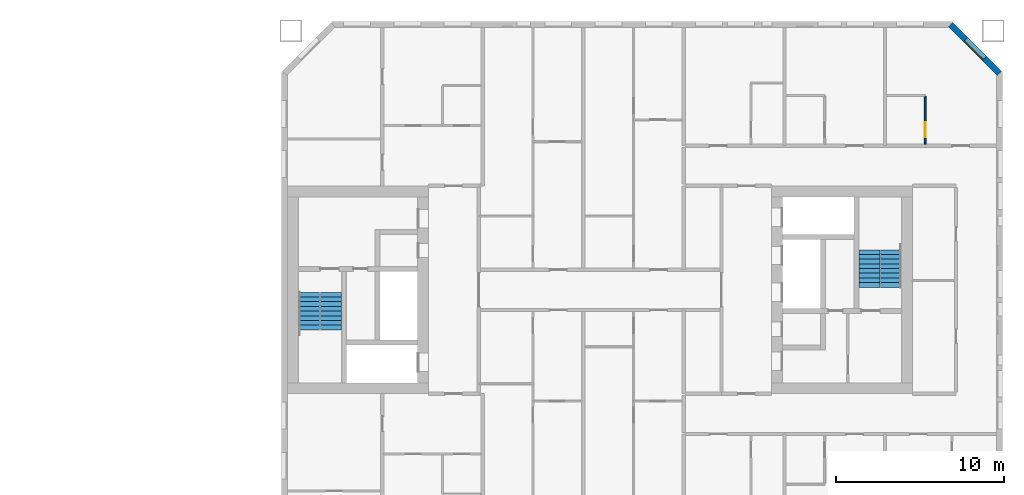
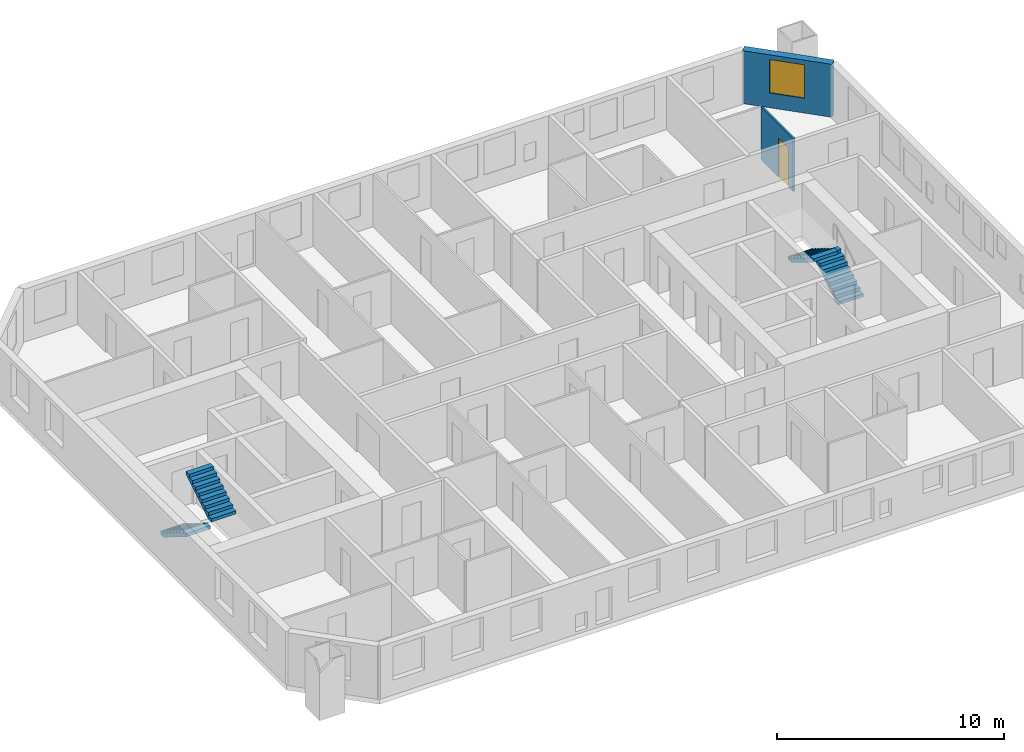
# One storey, part 15 of 17: 4 stair flights, 2 walls, 1 door, 1 window, 2 openings, 2 elements without a shape of their own.
"""IFC4 building model written with IfcOpenShell, lengths in metres."""

from ifc_helpers import new_model, si_unit, direction, frame, frame_2d, origin, place, context, subcontext, project, spatial, polyline, rectangle, outline, extrude, material, layer, layer_set, type_object, element, fill, aggregate, save


model = new_model("IFC4")

# Units and contexts
model_context = context("Model", 3, precision=1e-05, world=origin(), true_north=direction((0.0, 1.0)))
body_context = subcontext(model_context, "Body", "Model", "MODEL_VIEW")
ifc_project = project(units=[si_unit("LENGTHUNIT", "METRE"), si_unit("AREAUNIT", "SQUARE_METRE"), si_unit("VOLUMEUNIT", "CUBIC_METRE"), si_unit("PLANEANGLEUNIT", "RADIAN"), si_unit("MASSUNIT", "GRAM", prefix="KILO")], contexts=[model_context])

# Site, building, storey
site_placement = place(None, origin())
site = spatial("IfcSite", under=ifc_project, at=site_placement, CompositionType="ELEMENT")
building_placement = place(site_placement, origin())
building = spatial("IfcBuilding", under=site, at=building_placement, Name="Tuart Gate Housing", CompositionType="ELEMENT")
storey_placement = place(building_placement, frame((0.0, 0.0, 105.699951171875)))
storey = spatial("IfcBuildingStorey", under=building, at=storey_placement, Name="L29", CompositionType="ELEMENT", Elevation=105.699951171875)

# Wall, opening, window
ifc_material_1 = material(Name="Brick", Category="masonry")
ifc_layer_1 = layer(ifc_material_1, 0.360107421875)
ifc_layer_set_1 = layer_set([ifc_layer_1], Name="Brick pier and spandrel wall 360")
wall_type_1 = type_object("IfcWallType", Name="Brick pier and spandrel wall 360", PredefinedType="STANDARD", material=ifc_layer_set_1)
wall_1_placement = place(storey_placement, frame((173.820068359375, 82.92529296875, 0.0), z_axis=(0.0, 0.0, 1.0), x_axis=(-0.707106781187, 0.707106781187, 0.0)))
wall_1 = element("IfcWall", 1, at=wall_1_placement, inside=storey, type_object=wall_type_1, Name="External wall B-NE L29", PredefinedType="STANDARD", context=body_context, shape_type="SweptSolid", body=[
    extrude(rectangle(XDim=4.09375, YDim=0.360107421875, at=frame_2d((2.046875, 0.0))), origin(), (0.0, 0.0, 1.0), 2.85009765625),
])
opening_1_placement = place(wall_1_placement, frame((1.2470703125, 0.0, 0.800048828125)))
opening_1 = element("IfcOpeningElement", 2, at=opening_1_placement, cuts=wall_1, Name="Opening W1", PredefinedType="OPENING", context=body_context, shape_type="SweptSolid", body=[
    extrude(rectangle(XDim=1.60009765625, YDim=1.800048828125, at=frame_2d((0.800048828125, 0.89990234375))), frame((0.0, 0.18994140625, 0.0), z_axis=(0.0, -1.0, 0.0), x_axis=(1.0, 0.0, 0.0)), (0.0, 0.0, 1.0), 0.380126953125),
])
ifc_material_2 = material(Name="Aluminium frame with clear glass", Category="aluminium")
window_type = type_object("IfcWindowType", Name="Punched window 1600 x 1800", PartitioningType="SINGLE_PANEL", PredefinedType="WINDOW", material=ifc_material_2)
window_placement = place(opening_1_placement, origin())
window = element("IfcWindow", 3, at=window_placement, inside=storey, type_object=window_type, Name="Window W1", OverallHeight=1.800048828125, OverallWidth=1.60009765625, PartitioningType="SINGLE_PANEL", PredefinedType="WINDOW", context=body_context, shape_type="SweptSolid", body=[
    extrude(rectangle(XDim=1.60009765625, YDim=1.800048828125, at=frame_2d((0.800048828125, 0.89990234375))), frame((0.0, 0.150146484375, 0.0), z_axis=(0.0, -1.0, 0.0), x_axis=(1.0, 0.0, 0.0)), (0.0, 0.0, 1.0), 0.06005859375),
])
fill(opening_1, window)

# Wall, opening, door
ifc_material_3 = material(Name="Gypsum board on steel studs", Category="steel")
ifc_layer_2 = layer(ifc_material_3, 0.10009765625)
ifc_layer_set_2 = layer_set([ifc_layer_2], Name="Partition 100")
wall_type_2 = type_object("IfcWallType", Name="Partition 100", PredefinedType="PARTITIONING", material=ifc_layer_set_2)
wall_2_placement = place(storey_placement, frame((169.39990234375, 78.699951171875, 0.0), z_axis=(0.0, 0.0, 1.0), x_axis=(0.0, 1.0, 0.0)))
wall_2 = element("IfcWall", 4, at=wall_2_placement, inside=storey, type_object=wall_type_2, Name="Partition 100", PredefinedType="PARTITIONING", context=body_context, shape_type="SweptSolid", body=[
    extrude(rectangle(XDim=2.85009765625, YDim=0.10009765625, at=frame_2d((1.425048828125, 0.0))), origin(), (0.0, 0.0, 1.0), 2.85009765625),
])
opening_2_placement = place(wall_2_placement, frame((0.39990234375, 0.0, 0.0)))
opening_2 = element("IfcOpeningElement", 5, at=opening_2_placement, cuts=wall_2, Name="Opening D1242", PredefinedType="OPENING", context=body_context, shape_type="SweptSolid", body=[
    extrude(rectangle(XDim=0.89990234375, YDim=2.10009765625, at=frame_2d((0.449951171875, 1.050048828125))), frame((0.0, 0.06005859375, 0.0), z_axis=(0.0, -1.0, 0.0), x_axis=(1.0, 0.0, 0.0)), (0.0, 0.0, 1.0), 0.1201171875),
])
ifc_material_4 = material(Name="Timber door leaf in steel frame", Category="steel")
door_type = type_object("IfcDoorType", Name="Bathroom door 900", OperationType="SINGLE_SWING_LEFT", PredefinedType="DOOR", material=ifc_material_4)
door_placement = place(opening_2_placement, origin())
door = element("IfcDoor", 6, at=door_placement, inside=storey, type_object=door_type, Name="Bathroom door", OperationType="SINGLE_SWING_LEFT", OverallHeight=2.10009765625, OverallWidth=0.89990234375, PredefinedType="DOOR", context=body_context, shape_type="SweptSolid", body=[
    extrude(rectangle(XDim=0.89990234375, YDim=2.10009765625, at=frame_2d((0.449951171875, 1.050048828125))), frame((0.0, 0.02490234375, 0.0), z_axis=(0.0, -1.0, 0.0), x_axis=(1.0, 0.0, 0.0)), (0.0, 0.0, 1.0), 0.050048828125),
])
fill(opening_2, door)

# Stair, stair flights
ifc_material_5 = material(Name="Concrete C40", Category="concrete")
stair_type = type_object("IfcStairType", Name="Core stair 1250", PredefinedType="HALF_TURN_STAIR", material=ifc_material_5)
stair_1_placement = place(storey_placement, origin())
stair_1 = element("IfcStair", 7, at=stair_1_placement, inside=storey, type_object=stair_type, Name="Stair SB1", PredefinedType="HALF_TURN_STAIR")
ifc_material_6 = material(Name="Concrete C40", Category="concrete")
stair_flight_type = type_object("IfcStairFlightType", Name="Stair flight 1250, 9 risers 172 x 280", PredefinedType="STRAIGHT", material=ifc_material_6)
stair_flight_1_placement = place(storey_placement, frame((132.635009765625, 69.85009765625, 0.0), z_axis=(0.0, 0.0, 1.0), x_axis=(0.0, -1.0, 0.0)))
stair_flight_1 = element("IfcStairFlight", 8, at=stair_flight_1_placement, type_object=stair_flight_type, Name="SB1 flight 1", NumberOfRisers=9, NumberOfTreads=8, PredefinedType="STRAIGHT", RiserHeight=0.172222222, TreadLength=0.28, context=body_context, shape_type="SweptSolid", body=[
    extrude(outline(polyline([(0.0, 0.0), (0.0, 0.172119140625), (0.280029296875, 0.172119140625), (0.280029296875, 0.344482421875), (0.56005859375, 0.344482421875), (0.56005859375, 0.5166015625), (0.840087890625, 0.5166015625), (0.840087890625, 0.68896484375), (1.1201171875, 0.68896484375), (1.1201171875, 0.861083984375), (1.39990234375, 0.861083984375), (1.39990234375, 1.033447265625), (1.679931640625, 1.033447265625), (1.679931640625, 1.20556640625), (1.9599609375, 1.20556640625), (1.9599609375, 1.377685546875), (2.239990234375, 1.377685546875), (2.239990234375, 1.550048828125), (2.239990234375, 1.201904296875), (0.2861328125, 0.0), (0.0, 0.0)])), frame((0.0, 0.625, 0.0), z_axis=(0.0, -1.0, 0.0), x_axis=(1.0, 0.0, 0.0)), (0.0, 0.0, 1.0), 1.25),
])
stair_flight_2_placement = place(storey_placement, frame((133.93505859375, 67.610107421875, 1.550048828125), z_axis=(0.0, 0.0, 1.0), x_axis=(0.0, 1.0, 0.0)))
stair_flight_2 = element("IfcStairFlight", 9, at=stair_flight_2_placement, type_object=stair_flight_type, Name="SB1 flight 2", NumberOfRisers=9, NumberOfTreads=8, PredefinedType="STRAIGHT", RiserHeight=0.172222222, TreadLength=0.28, context=body_context, shape_type="SweptSolid", body=[
    extrude(outline(polyline([(0.0, 0.0), (0.0, 0.172119140625), (0.280029296875, 0.172119140625), (0.280029296875, 0.344482421875), (0.56005859375, 0.344482421875), (0.56005859375, 0.5166015625), (0.840087890625, 0.5166015625), (0.840087890625, 0.68896484375), (1.1201171875, 0.68896484375), (1.1201171875, 0.861083984375), (1.39990234375, 0.861083984375), (1.39990234375, 1.033447265625), (1.679931640625, 1.033447265625), (1.679931640625, 1.20556640625), (1.9599609375, 1.20556640625), (1.9599609375, 1.377685546875), (2.239990234375, 1.377685546875), (2.239990234375, 1.550048828125), (2.239990234375, 1.201904296875), (0.2861328125, 0.0), (0.0, 0.0)])), frame((0.0, 0.625, 0.0), z_axis=(0.0, -1.0, 0.0), x_axis=(1.0, 0.0, 0.0)), (0.0, 0.0, 1.0), 1.25),
])
aggregate(stair_1, [stair_flight_1, stair_flight_2])

stair_2_placement = place(storey_placement, origin())
stair_2 = element("IfcStair", 10, at=stair_2_placement, inside=storey, type_object=stair_type, Name="Stair SB2", PredefinedType="HALF_TURN_STAIR")
stair_flight_3_placement = place(storey_placement, frame((167.364990234375, 70.14990234375, 0.0), z_axis=(0.0, 0.0, 1.0), x_axis=(0.0, 1.0, 0.0)))
stair_flight_3 = element("IfcStairFlight", 11, at=stair_flight_3_placement, type_object=stair_flight_type, Name="SB2 flight 1", NumberOfRisers=9, NumberOfTreads=8, PredefinedType="STRAIGHT", RiserHeight=0.172222222, TreadLength=0.28, context=body_context, shape_type="SweptSolid", body=[
    extrude(outline(polyline([(0.0, 0.0), (0.0, 0.172119140625), (0.280029296875, 0.172119140625), (0.280029296875, 0.344482421875), (0.56005859375, 0.344482421875), (0.56005859375, 0.5166015625), (0.840087890625, 0.5166015625), (0.840087890625, 0.68896484375), (1.1201171875, 0.68896484375), (1.1201171875, 0.861083984375), (1.39990234375, 0.861083984375), (1.39990234375, 1.033447265625), (1.679931640625, 1.033447265625), (1.679931640625, 1.20556640625), (1.9599609375, 1.20556640625), (1.9599609375, 1.377685546875), (2.239990234375, 1.377685546875), (2.239990234375, 1.550048828125), (2.239990234375, 1.201904296875), (0.2861328125, 0.0), (0.0, 0.0)])), frame((0.0, 0.625, 0.0), z_axis=(0.0, -1.0, 0.0), x_axis=(1.0, 0.0, 0.0)), (0.0, 0.0, 1.0), 1.25),
])
stair_flight_4_placement = place(storey_placement, frame((166.06494140625, 72.389892578125, 1.550048828125), z_axis=(0.0, 0.0, 1.0), x_axis=(0.0, -1.0, 0.0)))
stair_flight_4 = element("IfcStairFlight", 12, at=stair_flight_4_placement, type_object=stair_flight_type, Name="SB2 flight 2", NumberOfRisers=9, NumberOfTreads=8, PredefinedType="STRAIGHT", RiserHeight=0.172222222, TreadLength=0.28, context=body_context, shape_type="SweptSolid", body=[
    extrude(outline(polyline([(0.0, 0.0), (0.0, 0.172119140625), (0.280029296875, 0.172119140625), (0.280029296875, 0.344482421875), (0.56005859375, 0.344482421875), (0.56005859375, 0.5166015625), (0.840087890625, 0.5166015625), (0.840087890625, 0.68896484375), (1.1201171875, 0.68896484375), (1.1201171875, 0.861083984375), (1.39990234375, 0.861083984375), (1.39990234375, 1.033447265625), (1.679931640625, 1.033447265625), (1.679931640625, 1.20556640625), (1.9599609375, 1.20556640625), (1.9599609375, 1.377685546875), (2.239990234375, 1.377685546875), (2.239990234375, 1.550048828125), (2.239990234375, 1.201904296875), (0.2861328125, 0.0), (0.0, 0.0)])), frame((0.0, 0.625, 0.0), z_axis=(0.0, -1.0, 0.0), x_axis=(1.0, 0.0, 0.0)), (0.0, 0.0, 1.0), 1.25),
])
aggregate(stair_2, [stair_flight_3, stair_flight_4])

save(model, "model.ifc")
